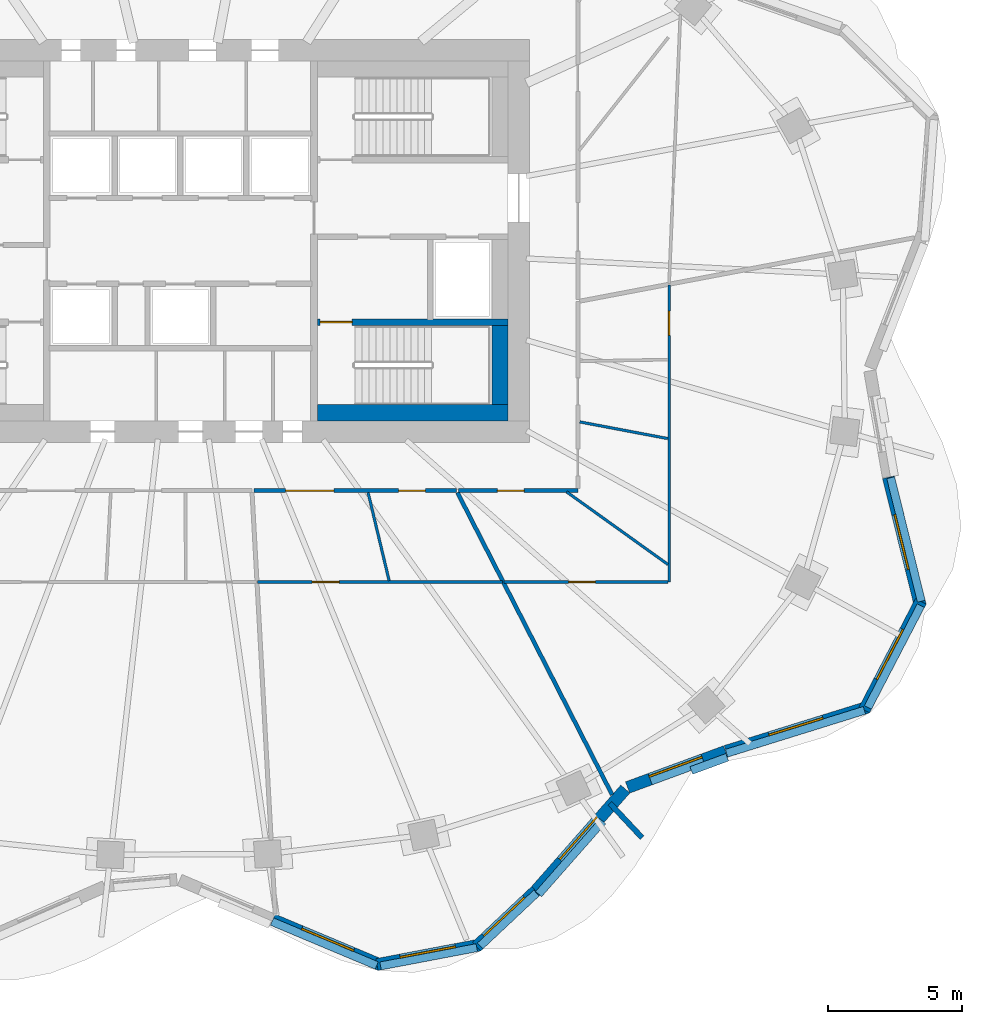
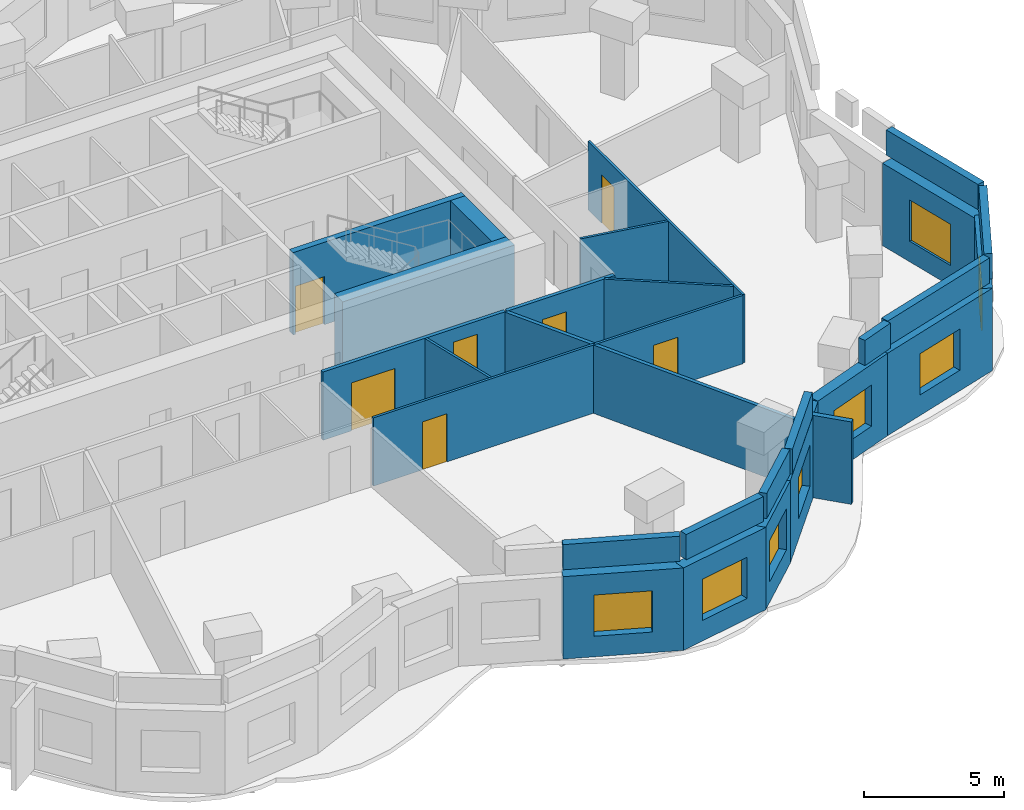
# One storey, part 6 of 11: 29 walls, 8 windows, 7 doors, 15 openings.
"""IFC4 building model written with IfcOpenShell, lengths in metres."""

from ifc_helpers import new_model, si_unit, direction, frame, frame_2d, origin, place, context, subcontext, project, spatial, rectangle, extrude, material, layer, layer_set, type_object, element, fill, save


model = new_model("IFC4")

# Units and contexts
model_context = context("Model", 3, precision=1e-05, world=origin(), true_north=direction((0.0, 1.0)))
body_context = subcontext(model_context, "Body", "Model", "MODEL_VIEW")
ifc_project = project(units=[si_unit("LENGTHUNIT", "METRE"), si_unit("AREAUNIT", "SQUARE_METRE"), si_unit("VOLUMEUNIT", "CUBIC_METRE"), si_unit("PLANEANGLEUNIT", "RADIAN"), si_unit("MASSUNIT", "GRAM", prefix="KILO")], contexts=[model_context])

# Site, building, storey
site_placement = place(None, origin())
site = spatial("IfcSite", under=ifc_project, at=site_placement, CompositionType="ELEMENT")
building_placement = place(site_placement, origin())
building = spatial("IfcBuilding", under=site, at=building_placement, Name="Rubra Terraces Tower", CompositionType="ELEMENT")
storey_placement = place(building_placement, frame((0.0, 0.0, 260.39990234375)))
storey = spatial("IfcBuildingStorey", under=building, at=storey_placement, Name="L64", CompositionType="ELEMENT", Elevation=260.39990234375)

# Wall, opening, window
ifc_material_1 = material(Name="Brick masonry red-brown", Category="masonry")
ifc_layer_1 = layer(ifc_material_1, 0.449951171875)
ifc_layer_set_1 = layer_set([ifc_layer_1], Name="Brick masonry red-brown")
wall_type_1 = type_object("IfcWallType", Name="Brick facade wall 450", PredefinedType="SOLIDWALL", material=ifc_layer_set_1)
wall_1_placement = place(storey_placement, frame((3.44140625, -20.776123046875, 0.0), z_axis=(0.0, 0.0, 1.0), x_axis=(0.921988121387, -0.387218160758, 0.0)))
wall_1 = element("IfcWall", 1, at=wall_1_placement, inside=storey, type_object=wall_type_1, Name="Facade wall L64 bay 32", PredefinedType="SOLIDWALL", context=body_context, shape_type="SweptSolid", body=[
    extrude(rectangle(XDim=4.3466796875, YDim=0.449951171875, at=frame_2d((2.17333984375, 0.0))), origin(), (0.0, 0.0, 1.0), 3.60009765625),
])
opening_1_placement = place(wall_1_placement, frame((1.123291015625, 0.0, 0.89990234375)))
opening_1 = element("IfcOpeningElement", 2, at=opening_1_placement, cuts=wall_1, Name="Opening W1Z", PredefinedType="OPENING", context=body_context, shape_type="SweptSolid", body=[
    extrude(rectangle(XDim=2.10009765625, YDim=1.800048828125, at=frame_2d((1.050048828125, 0.89990234375))), frame((0.0, 0.23486328125, 0.0), z_axis=(0.0, -1.0, 0.0), x_axis=(1.0, 0.0, 0.0)), (0.0, 0.0, 1.0), 0.469970703125),
])
ifc_material_2 = material(Name="Clear glass in aluminium frame", Category="aluminium")
window_type = type_object("IfcWindowType", Name="Fixed deep-set window under transfer level 2100 x 1800", PartitioningType="SINGLE_PANEL", PredefinedType="WINDOW", material=ifc_material_2)
window_1_placement = place(opening_1_placement, origin())
window_1 = element("IfcWindow", 3, at=window_1_placement, inside=storey, type_object=window_type, Name="Window L64 bay 32", OverallHeight=1.800048828125, OverallWidth=2.10009765625, PartitioningType="SINGLE_PANEL", PredefinedType="WINDOW", context=body_context, shape_type="SweptSolid", body=[
    extrude(rectangle(XDim=2.10009765625, YDim=1.800048828125, at=frame_2d((1.050048828125, 0.89990234375))), frame((0.0, 0.135009765625, 0.0), z_axis=(0.0, -1.0, 0.0), x_axis=(1.0, 0.0, 0.0)), (0.0, 0.0, 1.0), 0.06005859375),
])
fill(opening_1, window_1)

wall_2_placement = place(storey_placement, frame((7.322998046875, -22.447021484375, 0.0), z_axis=(0.0, 0.0, 1.0), x_axis=(0.982420993638, 0.18667884524, 0.0)))
wall_2 = element("IfcWall", 4, at=wall_2_placement, inside=storey, type_object=wall_type_1, Name="Facade wall L64 bay 33", PredefinedType="SOLIDWALL", context=body_context, shape_type="SweptSolid", body=[
    extrude(rectangle(XDim=3.88427734375, YDim=0.449951171875, at=frame_2d((1.942138671875, 0.0))), origin(), (0.0, 0.0, 1.0), 3.60009765625),
])
opening_2_placement = place(wall_2_placement, frame((0.89208984375, 0.0, 0.89990234375)))
opening_2 = element("IfcOpeningElement", 5, at=opening_2_placement, cuts=wall_2, Name="Opening W1Z", PredefinedType="OPENING", context=body_context, shape_type="SweptSolid", body=[
    extrude(rectangle(XDim=2.10009765625, YDim=1.800048828125, at=frame_2d((1.050048828125, 0.89990234375))), frame((0.0, 0.23486328125, 0.0), z_axis=(0.0, -1.0, 0.0), x_axis=(1.0, 0.0, 0.0)), (0.0, 0.0, 1.0), 0.469970703125),
])
window_2_placement = place(opening_2_placement, origin())
window_2 = element("IfcWindow", 6, at=window_2_placement, inside=storey, type_object=window_type, Name="Window L64 bay 33", OverallHeight=1.800048828125, OverallWidth=2.10009765625, PartitioningType="SINGLE_PANEL", PredefinedType="WINDOW", context=body_context, shape_type="SweptSolid", body=[
    extrude(rectangle(XDim=2.10009765625, YDim=1.800048828125, at=frame_2d((1.050048828125, 0.89990234375))), frame((0.0, 0.135009765625, 0.0), z_axis=(0.0, -1.0, 0.0), x_axis=(1.0, 0.0, 0.0)), (0.0, 0.0, 1.0), 0.06005859375),
])
fill(opening_2, window_2)

wall_3_placement = place(storey_placement, frame((11.027099609375, -21.779052734375, 0.0), z_axis=(0.0, 0.0, 1.0), x_axis=(0.728871214251, 0.684650825631, 0.0)))
wall_3 = element("IfcWall", 7, at=wall_3_placement, inside=storey, type_object=wall_type_1, Name="Facade wall L64 bay 34", PredefinedType="SOLIDWALL", context=body_context, shape_type="SweptSolid", body=[
    extrude(rectangle(XDim=3.031005859375, YDim=0.449951171875, at=frame_2d((1.515625, 0.0))), origin(), (0.0, 0.0, 1.0), 3.60009765625),
])
opening_3_placement = place(wall_3_placement, frame((0.465576171875, 0.0, 0.89990234375)))
opening_3 = element("IfcOpeningElement", 8, at=opening_3_placement, cuts=wall_3, Name="Opening W1Z", PredefinedType="OPENING", context=body_context, shape_type="SweptSolid", body=[
    extrude(rectangle(XDim=2.10009765625, YDim=1.800048828125, at=frame_2d((1.050048828125, 0.89990234375))), frame((0.0, 0.23486328125, 0.0), z_axis=(0.0, -1.0, 0.0), x_axis=(1.0, 0.0, 0.0)), (0.0, 0.0, 1.0), 0.469970703125),
])
window_3_placement = place(opening_3_placement, origin())
window_3 = element("IfcWindow", 9, at=window_3_placement, inside=storey, type_object=window_type, Name="Window L64 bay 34", OverallHeight=1.800048828125, OverallWidth=2.10009765625, PartitioningType="SINGLE_PANEL", PredefinedType="WINDOW", context=body_context, shape_type="SweptSolid", body=[
    extrude(rectangle(XDim=2.10009765625, YDim=1.800048828125, at=frame_2d((1.050048828125, 0.89990234375))), frame((0.0, 0.135009765625, 0.0), z_axis=(0.0, -1.0, 0.0), x_axis=(1.0, 0.0, 0.0)), (0.0, 0.0, 1.0), 0.06005859375),
])
fill(opening_3, window_3)

wall_4_placement = place(storey_placement, frame((13.221435546875, -19.71923828125, 0.0), z_axis=(0.0, 0.0, 1.0), x_axis=(0.660424908916, 0.750892095899, 0.0)))
wall_4 = element("IfcWall", 10, at=wall_4_placement, inside=storey, type_object=wall_type_1, Name="Facade wall L64 bay 35", PredefinedType="SOLIDWALL", context=body_context, shape_type="SweptSolid", body=[
    extrude(rectangle(XDim=5.07080078125, YDim=0.449951171875, at=frame_2d((2.535400390625, 0.0))), origin(), (0.0, 0.0, 1.0), 3.60009765625),
])
opening_4_placement = place(wall_4_placement, frame((1.4853515625, 0.0, 0.89990234375)))
opening_4 = element("IfcOpeningElement", 11, at=opening_4_placement, cuts=wall_4, Name="Opening W1Z", PredefinedType="OPENING", context=body_context, shape_type="SweptSolid", body=[
    extrude(rectangle(XDim=2.10009765625, YDim=1.800048828125, at=frame_2d((1.050048828125, 0.89990234375))), frame((0.0, 0.23486328125, 0.0), z_axis=(0.0, -1.0, 0.0), x_axis=(1.0, 0.0, 0.0)), (0.0, 0.0, 1.0), 0.469970703125),
])
window_4_placement = place(opening_4_placement, origin())
window_4 = element("IfcWindow", 12, at=window_4_placement, inside=storey, type_object=window_type, Name="Window L64 bay 35", OverallHeight=1.800048828125, OverallWidth=2.10009765625, PartitioningType="SINGLE_PANEL", PredefinedType="WINDOW", context=body_context, shape_type="SweptSolid", body=[
    extrude(rectangle(XDim=2.10009765625, YDim=1.800048828125, at=frame_2d((1.050048828125, 0.89990234375))), frame((0.0, 0.135009765625, 0.0), z_axis=(0.0, -1.0, 0.0), x_axis=(1.0, 0.0, 0.0)), (0.0, 0.0, 1.0), 0.06005859375),
])
fill(opening_4, window_4)

wall_5_placement = place(storey_placement, frame((16.654052734375, -15.85205078125, 0.0), z_axis=(0.0, 0.0, 1.0), x_axis=(0.938636568132, 0.344907803572, 0.0)))
wall_5 = element("IfcWall", 13, at=wall_5_placement, inside=storey, type_object=wall_type_1, Name="Facade wall L64 bay 36", PredefinedType="SOLIDWALL", context=body_context, shape_type="SweptSolid", body=[
    extrude(rectangle(XDim=3.887451171875, YDim=0.449951171875, at=frame_2d((1.94384765625, 0.0))), origin(), (0.0, 0.0, 1.0), 3.60009765625),
])
opening_5_placement = place(wall_5_placement, frame((0.893798828125, 0.0, 0.89990234375)))
opening_5 = element("IfcOpeningElement", 14, at=opening_5_placement, cuts=wall_5, Name="Opening W1Z", PredefinedType="OPENING", context=body_context, shape_type="SweptSolid", body=[
    extrude(rectangle(XDim=2.10009765625, YDim=1.800048828125, at=frame_2d((1.050048828125, 0.89990234375))), frame((0.0, 0.23486328125, 0.0), z_axis=(0.0, -1.0, 0.0), x_axis=(1.0, 0.0, 0.0)), (0.0, 0.0, 1.0), 0.469970703125),
])
window_5_placement = place(opening_5_placement, origin())
window_5 = element("IfcWindow", 15, at=window_5_placement, inside=storey, type_object=window_type, Name="Window L64 bay 36", OverallHeight=1.800048828125, OverallWidth=2.10009765625, PartitioningType="SINGLE_PANEL", PredefinedType="WINDOW", context=body_context, shape_type="SweptSolid", body=[
    extrude(rectangle(XDim=2.10009765625, YDim=1.800048828125, at=frame_2d((1.050048828125, 0.89990234375))), frame((0.0, 0.135009765625, 0.0), z_axis=(0.0, -1.0, 0.0), x_axis=(1.0, 0.0, 0.0)), (0.0, 0.0, 1.0), 0.06005859375),
])
fill(opening_5, window_5)

wall_6_placement = place(storey_placement, frame((20.31591796875, -14.506591796875, 0.0), z_axis=(0.0, 0.0, 1.0), x_axis=(0.954807195185, 0.297225873743, 0.0)))
wall_6 = element("IfcWall", 16, at=wall_6_placement, inside=storey, type_object=wall_type_1, Name="Facade wall L64 bay 37", PredefinedType="SOLIDWALL", context=body_context, shape_type="SweptSolid", body=[
    extrude(rectangle(XDim=5.5263671875, YDim=0.449951171875, at=frame_2d((2.76318359375, 0.0))), origin(), (0.0, 0.0, 1.0), 3.60009765625),
])
opening_6_placement = place(wall_6_placement, frame((1.713134765625, 0.0, 0.89990234375)))
opening_6 = element("IfcOpeningElement", 17, at=opening_6_placement, cuts=wall_6, Name="Opening W1Z", PredefinedType="OPENING", context=body_context, shape_type="SweptSolid", body=[
    extrude(rectangle(XDim=2.10009765625, YDim=1.800048828125, at=frame_2d((1.050048828125, 0.89990234375))), frame((0.0, 0.23486328125, 0.0), z_axis=(0.0, -1.0, 0.0), x_axis=(1.0, 0.0, 0.0)), (0.0, 0.0, 1.0), 0.469970703125),
])
window_6_placement = place(opening_6_placement, origin())
window_6 = element("IfcWindow", 18, at=window_6_placement, inside=storey, type_object=window_type, Name="Window L64 bay 37", OverallHeight=1.800048828125, OverallWidth=2.10009765625, PartitioningType="SINGLE_PANEL", PredefinedType="WINDOW", context=body_context, shape_type="SweptSolid", body=[
    extrude(rectangle(XDim=2.10009765625, YDim=1.800048828125, at=frame_2d((1.050048828125, 0.89990234375))), frame((0.0, 0.135009765625, 0.0), z_axis=(0.0, -1.0, 0.0), x_axis=(1.0, 0.0, 0.0)), (0.0, 0.0, 1.0), 0.06005859375),
])
fill(opening_6, window_6)

wall_7_placement = place(storey_placement, frame((25.46533203125, -12.97314453125, 0.0), z_axis=(0.0, 0.0, 1.0), x_axis=(0.461288789222, 0.887250050965, 0.0)))
wall_7 = element("IfcWall", 19, at=wall_7_placement, inside=storey, type_object=wall_type_1, Name="Facade wall L64 bay 38", PredefinedType="SOLIDWALL", context=body_context, shape_type="SweptSolid", body=[
    extrude(rectangle(XDim=4.568115234375, YDim=0.449951171875, at=frame_2d((2.2841796875, 0.0))), origin(), (0.0, 0.0, 1.0), 3.60009765625),
])
opening_7_placement = place(wall_7_placement, frame((1.23388671875, 0.0, 0.89990234375)))
opening_7 = element("IfcOpeningElement", 20, at=opening_7_placement, cuts=wall_7, Name="Opening W1Z", PredefinedType="OPENING", context=body_context, shape_type="SweptSolid", body=[
    extrude(rectangle(XDim=2.10009765625, YDim=1.800048828125, at=frame_2d((1.050048828125, 0.89990234375))), frame((0.0, 0.23486328125, 0.0), z_axis=(0.0, -1.0, 0.0), x_axis=(1.0, 0.0, 0.0)), (0.0, 0.0, 1.0), 0.469970703125),
])
window_7_placement = place(opening_7_placement, origin())
window_7 = element("IfcWindow", 21, at=window_7_placement, inside=storey, type_object=window_type, Name="Window L64 bay 38", OverallHeight=1.800048828125, OverallWidth=2.10009765625, PartitioningType="SINGLE_PANEL", PredefinedType="WINDOW", context=body_context, shape_type="SweptSolid", body=[
    extrude(rectangle(XDim=2.10009765625, YDim=1.800048828125, at=frame_2d((1.050048828125, 0.89990234375))), frame((0.0, 0.135009765625, 0.0), z_axis=(0.0, -1.0, 0.0), x_axis=(1.0, 0.0, 0.0)), (0.0, 0.0, 1.0), 0.06005859375),
])
fill(opening_7, window_7)

wall_8_placement = place(storey_placement, frame((27.552001953125, -9.07177734375, 0.0), z_axis=(0.0, 0.0, 1.0), x_axis=(-0.240629941406, 0.970616933347, 0.0)))
wall_8 = element("IfcWall", 22, at=wall_8_placement, inside=storey, type_object=wall_type_1, Name="Facade wall L64 bay 39", PredefinedType="SOLIDWALL", context=body_context, shape_type="SweptSolid", body=[
    extrude(rectangle(XDim=4.91455078125, YDim=0.449951171875, at=frame_2d((2.457275390625, 0.0))), origin(), (0.0, 0.0, 1.0), 3.60009765625),
])
opening_8_placement = place(wall_8_placement, frame((1.407470703125, 0.0, 0.89990234375)))
opening_8 = element("IfcOpeningElement", 23, at=opening_8_placement, cuts=wall_8, Name="Opening W1Z", PredefinedType="OPENING", context=body_context, shape_type="SweptSolid", body=[
    extrude(rectangle(XDim=2.10009765625, YDim=1.800048828125, at=frame_2d((1.050048828125, 0.89990234375))), frame((0.0, 0.23486328125, 0.0), z_axis=(0.0, -1.0, 0.0), x_axis=(1.0, 0.0, 0.0)), (0.0, 0.0, 1.0), 0.469970703125),
])
window_8_placement = place(opening_8_placement, origin())
window_8 = element("IfcWindow", 24, at=window_8_placement, inside=storey, type_object=window_type, Name="Window L64 bay 39", OverallHeight=1.800048828125, OverallWidth=2.10009765625, PartitioningType="SINGLE_PANEL", PredefinedType="WINDOW", context=body_context, shape_type="SweptSolid", body=[
    extrude(rectangle(XDim=2.10009765625, YDim=1.800048828125, at=frame_2d((1.050048828125, 0.89990234375))), frame((0.0, 0.135009765625, 0.0), z_axis=(0.0, -1.0, 0.0), x_axis=(1.0, 0.0, 0.0)), (0.0, 0.0, 1.0), 0.06005859375),
])
fill(opening_8, window_8)

# Walls
ifc_layer_2 = layer(ifc_material_1, 0.300048828125)
ifc_layer_set_2 = layer_set([ifc_layer_2], Name="Brick masonry red-brown")
wall_type_2 = type_object("IfcWallType", Name="Brick parapet 300", PredefinedType="PARAPET", material=ifc_layer_set_2)
wall_9_placement = place(storey_placement, frame((3.413330078125, -20.845703125, 3.900146484375), z_axis=(0.0, 0.0, 1.0), x_axis=(0.921981693349, -0.387233465921, 0.0)))
element("IfcWall", 25, at=wall_9_placement, inside=storey, type_object=wall_type_2, Name="Parapet L64 bay 32", PredefinedType="PARAPET", context=body_context, shape_type="SweptSolid", body=[
    extrude(rectangle(XDim=4.228515625, YDim=0.300048828125, at=frame_2d((2.1142578125, 0.0))), origin(), (0.0, 0.0, 1.0), 1.099853515625),
])
wall_10_placement = place(storey_placement, frame((7.455322265625, -22.498291015625, 3.900146484375), z_axis=(0.0, 0.0, 1.0), x_axis=(0.982412909305, 0.186721385038, 0.0)))
element("IfcWall", 26, at=wall_10_placement, inside=storey, type_object=wall_type_2, Name="Parapet L64 bay 33", PredefinedType="PARAPET", context=body_context, shape_type="SweptSolid", body=[
    extrude(rectangle(XDim=3.646728515625, YDim=0.300048828125, at=frame_2d((1.8232421875, 0.0))), origin(), (0.0, 0.0, 1.0), 1.099853515625),
])
wall_11_placement = place(storey_placement, frame((11.163818359375, -21.75341796875, 3.900146484375), z_axis=(0.0, 0.0, 1.0), x_axis=(0.72886475222, 0.684657704967, 0.0)))
element("IfcWall", 27, at=wall_11_placement, inside=storey, type_object=wall_type_2, Name="Parapet L64 bay 34", PredefinedType="PARAPET", context=body_context, shape_type="SweptSolid", body=[
    extrude(rectangle(XDim=2.877197265625, YDim=0.300048828125, at=frame_2d((1.4384765625, 0.0))), origin(), (0.0, 0.0, 1.0), 1.099853515625),
])
wall_12_placement = place(storey_placement, frame((13.338623046875, -19.822265625, 3.900146484375), z_axis=(0.0, 0.0, 1.0), x_axis=(0.660443655688, 0.750875607316, 0.0)))
element("IfcWall", 28, at=wall_12_placement, inside=storey, type_object=wall_type_2, Name="Parapet L64 bay 35", PredefinedType="PARAPET", context=body_context, shape_type="SweptSolid", body=[
    extrude(rectangle(XDim=3.614990234375, YDim=0.300048828125, at=frame_2d((1.8076171875, 0.0))), origin(), (0.0, 0.0, 1.0), 1.099853515625),
])
wall_13_placement = place(storey_placement, frame((19.02734375, -15.219482421875, 3.900146484375), z_axis=(0.0, 0.0, 1.0), x_axis=(0.938641434588, 0.344894559648, 0.0)))
element("IfcWall", 29, at=wall_13_placement, inside=storey, type_object=wall_type_2, Name="Parapet L64 bay 36", PredefinedType="PARAPET", context=body_context, shape_type="SweptSolid", body=[
    extrude(rectangle(XDim=1.423583984375, YDim=0.300048828125, at=frame_2d((0.7119140625, 0.0))), origin(), (0.0, 0.0, 1.0), 1.099853515625),
])
wall_14_placement = place(storey_placement, frame((20.33984375, -14.577392578125, 3.900146484375), z_axis=(0.0, 0.0, 1.0), x_axis=(0.95482441974, 0.297170536002, 0.0)))
element("IfcWall", 30, at=wall_14_placement, inside=storey, type_object=wall_type_2, Name="Parapet L64 bay 37", PredefinedType="PARAPET", context=body_context, shape_type="SweptSolid", body=[
    extrude(rectangle(XDim=5.37548828125, YDim=0.300048828125, at=frame_2d((2.687744140625, 0.0))), origin(), (0.0, 0.0, 1.0), 1.099853515625),
])
wall_15_placement = place(storey_placement, frame((25.603515625, -12.870361328125, 3.900146484375), z_axis=(0.0, 0.0, 1.0), x_axis=(0.461201502261, 0.887295426739, 0.0)))
element("IfcWall", 31, at=wall_15_placement, inside=storey, type_object=wall_type_2, Name="Parapet L64 bay 38", PredefinedType="PARAPET", context=body_context, shape_type="SweptSolid", body=[
    extrude(rectangle(XDim=4.269775390625, YDim=0.300048828125, at=frame_2d((2.134765625, 0.0))), origin(), (0.0, 0.0, 1.0), 1.099853515625),
])
wall_16_placement = place(storey_placement, frame((27.591796875, -8.9208984375, 3.900146484375), z_axis=(0.0, 0.0, 1.0), x_axis=(-0.240669381496, 0.970607154729, 0.0)))
element("IfcWall", 32, at=wall_16_placement, inside=storey, type_object=wall_type_2, Name="Parapet L64 bay 39", PredefinedType="PARAPET", context=body_context, shape_type="SweptSolid", body=[
    extrude(rectangle(XDim=4.741455078125, YDim=0.300048828125, at=frame_2d((2.37060546875, 0.0))), origin(), (0.0, 0.0, 1.0), 1.099853515625),
])
ifc_layer_3 = layer(ifc_material_1, 0.199951171875)
ifc_layer_set_3 = layer_set([ifc_layer_3], Name="Brick masonry red-brown")
wall_type_3 = type_object("IfcWallType", Name="Brick wind fin 200", PredefinedType="SOLIDWALL", material=ifc_layer_set_3)
wall_17_placement = place(storey_placement, frame((15.9951171875, -16.444091796875, 0.0), z_axis=(0.0, 0.0, 1.0), x_axis=(0.683852936488, -0.729619874494, 0.0)))
element("IfcWall", 33, at=wall_17_placement, inside=storey, type_object=wall_type_3, Name="Wind fin L64 21", PredefinedType="SOLIDWALL", context=body_context, shape_type="SweptSolid", body=[
    extrude(rectangle(XDim=1.749755859375, YDim=0.199951171875, at=frame_2d((0.875, 0.0))), origin(), (0.0, 0.0, 1.0), 3.60009765625),
])

# Wall, openings, doors
ifc_material_3 = material(Name="Plasterboard on steel stud, mineral wool infill", Category="steel")
ifc_layer_4 = layer(ifc_material_3, 0.14990234375)
ifc_layer_set_4 = layer_set([ifc_layer_4], Name="Plasterboard on steel stud, mineral wool infill")
wall_type_4 = type_object("IfcWallType", Name="CORRIDOR PARTITION 150", PredefinedType="PARTITIONING", material=ifc_layer_set_4)
wall_18_placement = place(storey_placement, frame((2.740966796875, -4.800048828125, 0.0), z_axis=(0.0, 0.0, 1.0), x_axis=(1.0, 0.0, 0.0)))
wall_18 = element("IfcWall", 34, at=wall_18_placement, inside=storey, type_object=wall_type_4, Name="PARTITION", PredefinedType="PARTITIONING", context=body_context, shape_type="SweptSolid", body=[
    extrude(rectangle(XDim=7.542236328125, YDim=0.14990234375, at=frame_2d((3.77099609375, 0.0))), origin(), (0.0, 0.0, 1.0), 2.984130859375),
])
opening_9_placement = place(wall_18_placement, frame((1.178955078125, 0.0, 0.0)))
opening_9 = element("IfcOpeningElement", 35, at=opening_9_placement, cuts=wall_18, Name="Opening 64-124", PredefinedType="OPENING", context=body_context, shape_type="SweptSolid", body=[
    extrude(rectangle(XDim=1.800048828125, YDim=2.10009765625, at=frame_2d((0.89990234375, 1.050048828125))), frame((0.0, 0.0849609375, 0.0), z_axis=(0.0, -1.0, 0.0), x_axis=(1.0, 0.0, 0.0)), (0.0, 0.0, 1.0), 0.169921875),
])
opening_10_placement = place(wall_18_placement, frame((5.386962890625, 0.0, 0.0)))
opening_10 = element("IfcOpeningElement", 36, at=opening_10_placement, cuts=wall_18, Name="Opening 64-126", PredefinedType="OPENING", context=body_context, shape_type="SweptSolid", body=[
    extrude(rectangle(XDim=1.0, YDim=2.39990234375, at=frame_2d((0.5, 1.199951171875))), frame((0.0, 0.0849609375, 0.0), z_axis=(0.0, -1.0, 0.0), x_axis=(1.0, 0.0, 0.0)), (0.0, 0.0, 1.0), 0.169921875),
])
ifc_material_4 = material(Name="Glazed aluminium meeting door leaf", Category="aluminium")
door_type_1 = type_object("IfcDoorType", Name="MEETING ROOM GLAZED DOOR 1000 X 2400", OperationType="SINGLE_SWING_LEFT", PredefinedType="DOOR", material=ifc_material_4)
door_1_placement = place(opening_10_placement, origin())
door_1 = element("IfcDoor", 37, at=door_1_placement, inside=storey, type_object=door_type_1, Name="DOOR 64-126", OperationType="SINGLE_SWING_RIGHT", OverallHeight=2.39990234375, OverallWidth=1.0, PredefinedType="DOOR", context=body_context, shape_type="SweptSolid", body=[
    extrude(rectangle(XDim=1.0, YDim=2.39990234375, at=frame_2d((0.5, 1.199951171875))), frame((0.0, 0.02490234375, 0.0), z_axis=(0.0, -1.0, 0.0), x_axis=(1.0, 0.0, 0.0)), (0.0, 0.0, 1.0), 0.050048828125),
])
fill(opening_10, door_1)
ifc_material_5 = material(Name="Painted timber door leaf, double", Category="wood")
door_type_2 = type_object("IfcDoorType", Name="ROOM DOUBLE DOOR 1800 X 2100", OperationType="DOUBLE_DOOR_SINGLE_SWING", PredefinedType="DOOR", material=ifc_material_5)
door_2_placement = place(opening_9_placement, origin())
door_2 = element("IfcDoor", 38, at=door_2_placement, inside=storey, type_object=door_type_2, Name="DOOR 64-124", OperationType="DOUBLE_DOOR_SINGLE_SWING", OverallHeight=2.10009765625, OverallWidth=1.800048828125, PredefinedType="DOOR", context=body_context, shape_type="SweptSolid", body=[
    extrude(rectangle(XDim=1.800048828125, YDim=2.10009765625, at=frame_2d((0.89990234375, 1.050048828125))), frame((0.0, 0.02490234375, 0.0), z_axis=(0.0, -1.0, 0.0), x_axis=(1.0, 0.0, 0.0)), (0.0, 0.0, 1.0), 0.050048828125),
])
fill(opening_9, door_2)

# Wall, opening, door
wall_19_placement = place(storey_placement, frame((10.3583984375, -4.800048828125, 0.0), z_axis=(0.0, 0.0, 1.0), x_axis=(1.0, 0.0, 0.0)))
wall_19 = element("IfcWall", 39, at=wall_19_placement, inside=storey, type_object=wall_type_4, Name="PARTITION", PredefinedType="PARTITIONING", context=body_context, shape_type="SweptSolid", body=[
    extrude(rectangle(XDim=4.441650390625, YDim=0.14990234375, at=frame_2d((2.220703125, 0.0))), origin(), (0.0, 0.0, 1.0), 2.984130859375),
])
opening_11_placement = place(wall_19_placement, frame((1.444091796875, 0.0, 0.0)))
opening_11 = element("IfcOpeningElement", 40, at=opening_11_placement, cuts=wall_19, Name="Opening 64-127", PredefinedType="OPENING", context=body_context, shape_type="SweptSolid", body=[
    extrude(rectangle(XDim=1.0, YDim=2.10009765625, at=frame_2d((0.5, 1.050048828125))), frame((0.0, 0.0849609375, 0.0), z_axis=(0.0, -1.0, 0.0), x_axis=(1.0, 0.0, 0.0)), (0.0, 0.0, 1.0), 0.169921875),
])
ifc_material_6 = material(Name="Painted timber door leaf", Category="wood")
door_type_3 = type_object("IfcDoorType", Name="ROOM DOOR 1000 X 2100", OperationType="SINGLE_SWING_LEFT", PredefinedType="DOOR", material=ifc_material_6)
door_3_placement = place(opening_11_placement, origin())
door_3 = element("IfcDoor", 41, at=door_3_placement, inside=storey, type_object=door_type_3, Name="DOOR 64-127", OperationType="SINGLE_SWING_RIGHT", OverallHeight=2.10009765625, OverallWidth=1.0, PredefinedType="DOOR", context=body_context, shape_type="SweptSolid", body=[
    extrude(rectangle(XDim=1.0, YDim=2.10009765625, at=frame_2d((0.5, 1.050048828125))), frame((0.0, 0.02490234375, 0.0), z_axis=(0.0, -1.0, 0.0), x_axis=(1.0, 0.0, 0.0)), (0.0, 0.0, 1.0), 0.050048828125),
])
fill(opening_11, door_3)

# Walls
ifc_material_7 = material(Name="Concrete C40", Category="concrete")
ifc_layer_5 = layer(ifc_material_7, 0.60009765625)
ifc_layer_set_5 = layer_set([ifc_layer_5], Name="Concrete C40")
wall_type_5 = type_object("IfcWallType", Name="Core lining wall 600 concrete", PredefinedType="SOLIDWALL", material=ifc_layer_set_5)
wall_20_placement = place(storey_placement, frame((11.89990234375, 1.35009765625, 0.0), z_axis=(0.0, 0.0, 1.0), x_axis=(0.0, -1.0, 0.0)))
element("IfcWall", 42, at=wall_20_placement, inside=storey, type_object=wall_type_5, Name="CORE LINING WALL L64", PredefinedType="SOLIDWALL", context=body_context, shape_type="SweptSolid", body=[
    extrude(rectangle(XDim=2.9501953125, YDim=0.60009765625, at=frame_2d((1.47509765625, 0.0))), origin(), (0.0, 0.0, 1.0), 3.60009765625),
])
wall_21_placement = place(storey_placement, frame((12.199951171875, -1.89990234375, 0.0), z_axis=(0.0, 0.0, 1.0), x_axis=(-1.0, 0.0, 0.0)))
element("IfcWall", 43, at=wall_21_placement, inside=storey, type_object=wall_type_5, Name="CORE LINING WALL L64", PredefinedType="SOLIDWALL", context=body_context, shape_type="SweptSolid", body=[
    extrude(rectangle(XDim=7.099853515625, YDim=0.60009765625, at=frame_2d((3.5498046875, 0.0))), origin(), (0.0, 0.0, 1.0), 3.60009765625),
])

# Wall, opening, door
ifc_material_8 = material(Name="Plasterboard on steel stud", Category="steel")
ifc_layer_6 = layer(ifc_material_8, 0.10009765625)
ifc_layer_set_6 = layer_set([ifc_layer_6], Name="Plasterboard on steel stud")
wall_type_6 = type_object("IfcWallType", Name="ROOM PARTITION 100", PredefinedType="PARTITIONING", material=ifc_layer_set_6)
wall_22_placement = place(storey_placement, frame((12.000732421875, -8.199951171875, 0.0), z_axis=(0.0, 0.0, 1.0), x_axis=(-1.0, 0.0, 0.0)))
wall_22 = element("IfcWall", 44, at=wall_22_placement, inside=storey, type_object=wall_type_6, Name="PARTITION", PredefinedType="PARTITIONING", context=body_context, shape_type="SweptSolid", body=[
    extrude(rectangle(XDim=9.1279296875, YDim=0.10009765625, at=frame_2d((4.56396484375, 0.0))), origin(), (0.0, 0.0, 1.0), 2.984130859375),
])
opening_12_placement = place(wall_22_placement, frame((6.090087890625, 0.0, 0.0)))
opening_12 = element("IfcOpeningElement", 45, at=opening_12_placement, cuts=wall_22, Name="Opening 64-125", PredefinedType="OPENING", context=body_context, shape_type="SweptSolid", body=[
    extrude(rectangle(XDim=1.0, YDim=2.10009765625, at=frame_2d((0.5, 1.050048828125))), frame((0.0, 0.06005859375, 0.0), z_axis=(0.0, -1.0, 0.0), x_axis=(1.0, 0.0, 0.0)), (0.0, 0.0, 1.0), 0.1201171875),
])
door_4_placement = place(opening_12_placement, origin())
door_4 = element("IfcDoor", 46, at=door_4_placement, inside=storey, type_object=door_type_3, Name="DOOR 64-125", OperationType="SINGLE_SWING_LEFT", OverallHeight=2.10009765625, OverallWidth=1.0, PredefinedType="DOOR", context=body_context, shape_type="SweptSolid", body=[
    extrude(rectangle(XDim=1.0, YDim=2.10009765625, at=frame_2d((0.5, 1.050048828125))), frame((0.0, 0.02490234375, 0.0), z_axis=(0.0, -1.0, 0.0), x_axis=(1.0, 0.0, 0.0)), (0.0, 0.0, 1.0), 0.050048828125),
])
fill(opening_12, door_4)

# Wall
wall_23_placement = place(storey_placement, frame((6.99072265625, -4.872802734375, 0.0), z_axis=(0.0, 0.0, 1.0), x_axis=(0.232348315027, -0.97263264417, 0.0)))
element("IfcWall", 47, at=wall_23_placement, inside=storey, type_object=wall_type_6, Name="PARTITION", PredefinedType="PARTITIONING", context=body_context, shape_type="SweptSolid", body=[
    extrude(rectangle(XDim=3.370849609375, YDim=0.10009765625, at=frame_2d((1.685546875, 0.0))), origin(), (0.0, 0.0, 1.0), 2.984130859375),
])

# Wall, opening, door
wall_24_placement = place(storey_placement, frame((18.199951171875, 2.8671875, 0.0), z_axis=(0.0, 0.0, 1.0), x_axis=(0.0, -1.0, 0.0)))
wall_24 = element("IfcWall", 48, at=wall_24_placement, inside=storey, type_object=wall_type_6, Name="PARTITION", PredefinedType="PARTITIONING", context=body_context, shape_type="SweptSolid", body=[
    extrude(rectangle(XDim=11.067138671875, YDim=0.10009765625, at=frame_2d((5.53369140625, 0.0))), origin(), (0.0, 0.0, 1.0), 2.984130859375),
])
opening_13_placement = place(wall_24_placement, frame((0.98291015625, 0.0, 0.0)))
opening_13 = element("IfcOpeningElement", 49, at=opening_13_placement, cuts=wall_24, Name="Opening 64-131", PredefinedType="OPENING", context=body_context, shape_type="SweptSolid", body=[
    extrude(rectangle(XDim=0.89990234375, YDim=2.10009765625, at=frame_2d((0.449951171875, 1.050048828125))), frame((0.0, 0.06005859375, 0.0), z_axis=(0.0, -1.0, 0.0), x_axis=(1.0, 0.0, 0.0)), (0.0, 0.0, 1.0), 0.1201171875),
])
door_type_4 = type_object("IfcDoorType", Name="ROOM DOOR 900 X 2100", OperationType="SINGLE_SWING_LEFT", PredefinedType="DOOR", material=ifc_material_6)
door_5_placement = place(opening_13_placement, origin())
door_5 = element("IfcDoor", 50, at=door_5_placement, inside=storey, type_object=door_type_4, Name="DOOR 64-131", OperationType="SINGLE_SWING_LEFT", OverallHeight=2.10009765625, OverallWidth=0.89990234375, PredefinedType="DOOR", context=body_context, shape_type="SweptSolid", body=[
    extrude(rectangle(XDim=0.89990234375, YDim=2.10009765625, at=frame_2d((0.449951171875, 1.050048828125))), frame((0.0, 0.02490234375, 0.0), z_axis=(0.0, -1.0, 0.0), x_axis=(1.0, 0.0, 0.0)), (0.0, 0.0, 1.0), 0.050048828125),
])
fill(opening_13, door_5)

wall_25_placement = place(storey_placement, frame((18.14990234375, -8.199951171875, 0.0), z_axis=(0.0, 0.0, 1.0), x_axis=(-1.0, 0.0, 0.0)))
wall_25 = element("IfcWall", 51, at=wall_25_placement, inside=storey, type_object=wall_type_6, Name="PARTITION", PredefinedType="PARTITIONING", context=body_context, shape_type="SweptSolid", body=[
    extrude(rectangle(XDim=6.104248046875, YDim=0.10009765625, at=frame_2d((3.05224609375, 0.0))), origin(), (0.0, 0.0, 1.0), 2.984130859375),
])
opening_14_placement = place(wall_25_placement, frame((2.696044921875, 0.0, 0.0)))
opening_14 = element("IfcOpeningElement", 52, at=opening_14_placement, cuts=wall_25, Name="Opening 64-128", PredefinedType="OPENING", context=body_context, shape_type="SweptSolid", body=[
    extrude(rectangle(XDim=1.0, YDim=2.10009765625, at=frame_2d((0.5, 1.050048828125))), frame((0.0, 0.06005859375, 0.0), z_axis=(0.0, -1.0, 0.0), x_axis=(1.0, 0.0, 0.0)), (0.0, 0.0, 1.0), 0.1201171875),
])
door_6_placement = place(opening_14_placement, origin())
door_6 = element("IfcDoor", 53, at=door_6_placement, inside=storey, type_object=door_type_3, Name="DOOR 64-128", OperationType="SINGLE_SWING_RIGHT", OverallHeight=2.10009765625, OverallWidth=1.0, PredefinedType="DOOR", context=body_context, shape_type="SweptSolid", body=[
    extrude(rectangle(XDim=1.0, YDim=2.10009765625, at=frame_2d((0.5, 1.050048828125))), frame((0.0, 0.02490234375, 0.0), z_axis=(0.0, -1.0, 0.0), x_axis=(1.0, 0.0, 0.0)), (0.0, 0.0, 1.0), 0.050048828125),
])
fill(opening_14, door_6)

# Walls
wall_26_placement = place(storey_placement, frame((14.38232421875, -4.84375, 0.0), z_axis=(0.0, 0.0, 1.0), x_axis=(0.812905436978, -0.582395699273, 0.0)))
element("IfcWall", 54, at=wall_26_placement, inside=storey, type_object=wall_type_6, Name="PARTITION", PredefinedType="PARTITIONING", context=body_context, shape_type="SweptSolid", body=[
    extrude(rectangle(XDim=4.646484375, YDim=0.10009765625, at=frame_2d((2.3232421875, 0.0))), origin(), (0.0, 0.0, 1.0), 2.984130859375),
])
wall_27_placement = place(storey_placement, frame((14.873779296875, -2.2392578125, 0.0), z_axis=(0.0, 0.0, 1.0), x_axis=(0.982523240233, -0.186139953804, 0.0)))
element("IfcWall", 55, at=wall_27_placement, inside=storey, type_object=wall_type_6, Name="PARTITION", PredefinedType="PARTITIONING", context=body_context, shape_type="SweptSolid", body=[
    extrude(rectangle(XDim=3.33544921875, YDim=0.10009765625, at=frame_2d((1.667724609375, 0.0))), origin(), (0.0, 0.0, 1.0), 2.984130859375),
])
ifc_layer_7 = layer(ifc_material_8, 0.14990234375)
ifc_layer_set_7 = layer_set([ifc_layer_7], Name="Plasterboard on steel stud")
wall_type_7 = type_object("IfcWallType", Name="ROOM PARTITION 150", PredefinedType="PARTITIONING", material=ifc_layer_set_7)
wall_28_placement = place(storey_placement, frame((16.078369140625, -16.12451171875, 0.0), z_axis=(0.0, 0.0, 1.0), x_axis=(-0.455549457852, 0.890210475927, 0.0)))
element("IfcWall", 56, at=wall_28_placement, inside=storey, type_object=wall_type_7, Name="PARTITION", PredefinedType="PARTITIONING", context=body_context, shape_type="SweptSolid", body=[
    extrude(rectangle(XDim=12.646240234375, YDim=0.14990234375, at=frame_2d((6.3232421875, 0.0))), origin(), (0.0, 0.0, 1.0), 2.984130859375),
])

# Wall, opening, door
ifc_layer_8 = layer(ifc_material_7, 0.25)
ifc_layer_set_8 = layer_set([ifc_layer_8], Name="Concrete C40")
wall_type_8 = type_object("IfcWallType", Name="Stair enclosure wall 250 concrete", PredefinedType="SOLIDWALL", material=ifc_layer_set_8)
wall_29_placement = place(storey_placement, frame((12.199951171875, 1.47509765625, 0.0), z_axis=(0.0, 0.0, 1.0), x_axis=(-1.0, 0.0, 0.0)))
wall_29 = element("IfcWall", 57, at=wall_29_placement, inside=storey, type_object=wall_type_8, Name="STAIR WALL L64", PredefinedType="SOLIDWALL", context=body_context, shape_type="SweptSolid", body=[
    extrude(rectangle(XDim=7.099853515625, YDim=0.25, at=frame_2d((3.5498046875, 0.0))), origin(), (0.0, 0.0, 1.0), 3.60009765625),
])
opening_15_placement = place(wall_29_placement, frame((5.800048828125, 0.0, 0.0)))
opening_15 = element("IfcOpeningElement", 58, at=opening_15_placement, cuts=wall_29, Name="Opening L64.C10", PredefinedType="OPENING", context=body_context, shape_type="SweptSolid", body=[
    extrude(rectangle(XDim=1.199951171875, YDim=2.10009765625, at=frame_2d((0.60009765625, 1.050048828125))), frame((0.0, 0.135009765625, 0.0), z_axis=(0.0, -1.0, 0.0), x_axis=(1.0, 0.0, 0.0)), (0.0, 0.0, 1.0), 0.27001953125),
])
ifc_material_9 = material(Name="Painted steel", Category="steel")
door_type_5 = type_object("IfcDoorType", Name="Fire door 1200x2100 single", OperationType="NOTDEFINED", PredefinedType="DOOR", material=ifc_material_9)
door_7_placement = place(opening_15_placement, origin())
door_7 = element("IfcDoor", 59, at=door_7_placement, inside=storey, type_object=door_type_5, Name="Stair door S4", OperationType="SINGLE_SWING_RIGHT", OverallHeight=2.10009765625, OverallWidth=1.199951171875, PredefinedType="DOOR", context=body_context, shape_type="SweptSolid", body=[
    extrude(rectangle(XDim=1.199951171875, YDim=2.10009765625, at=frame_2d((0.60009765625, 1.050048828125))), frame((0.0, 0.02490234375, 0.0), z_axis=(0.0, -1.0, 0.0), x_axis=(1.0, 0.0, 0.0)), (0.0, 0.0, 1.0), 0.050048828125),
])
fill(opening_15, door_7)

save(model, "model.ifc")
